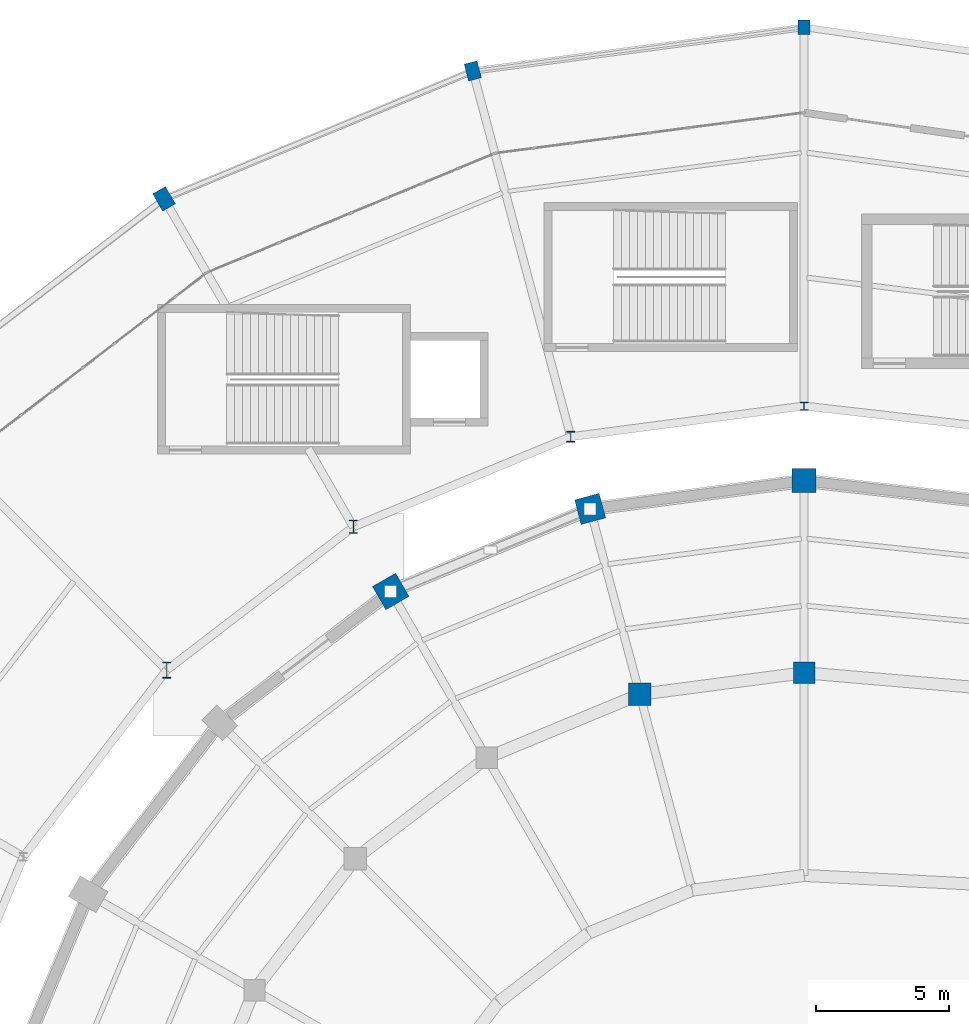
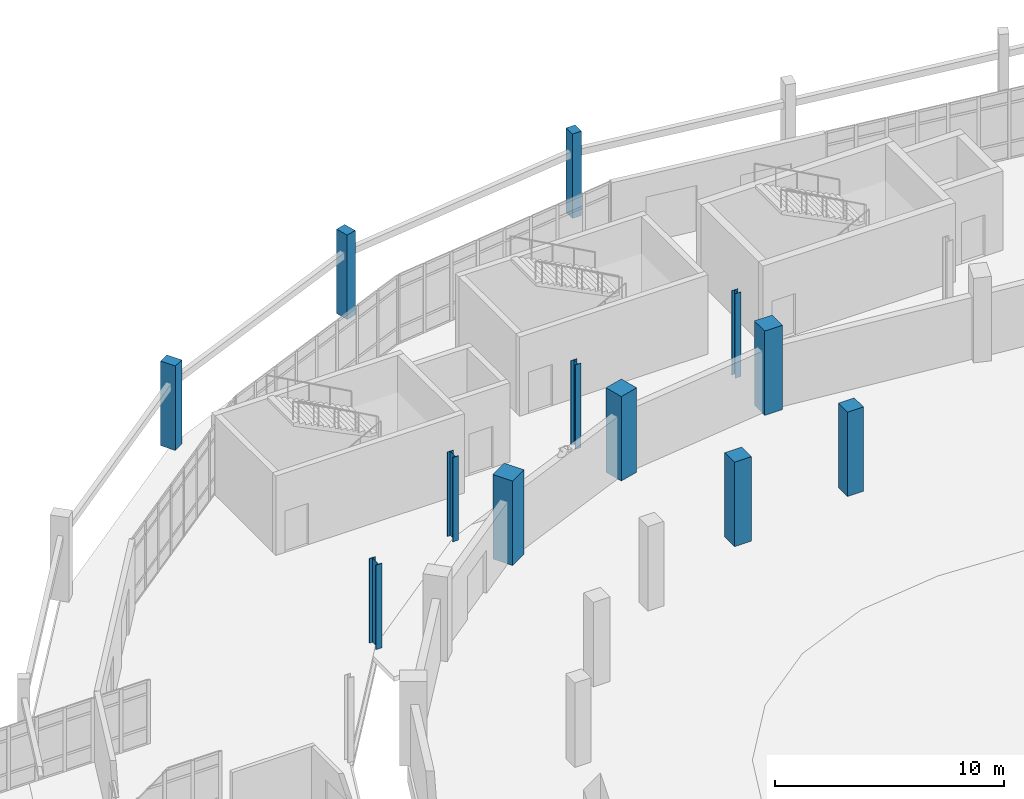
# One storey, part 16 of 122: 12 columns.
"""IFC4 building model written with IfcOpenShell, lengths in metres."""

from ifc_helpers import new_model, si_unit, direction, frame, origin, origin_2d, place, context, subcontext, project, spatial, rectangle, i_section, extrude, material, material_profile, profile_set, type_object, element, save


model = new_model("IFC4")

# Units and contexts
model_context = context("Model", 3, precision=1e-05, world=origin(), true_north=direction((0.0, 1.0)))
body_context = subcontext(model_context, "Body", "Model", "MODEL_VIEW")
ifc_project = project(units=[si_unit("LENGTHUNIT", "METRE"), si_unit("AREAUNIT", "SQUARE_METRE"), si_unit("VOLUMEUNIT", "CUBIC_METRE"), si_unit("PLANEANGLEUNIT", "RADIAN"), si_unit("MASSUNIT", "GRAM", prefix="KILO")], contexts=[model_context])

# Site, building, storey
site_placement = place(None, origin())
site = spatial("IfcSite", under=ifc_project, at=site_placement, CompositionType="ELEMENT")
building_placement = place(site_placement, origin())
building = spatial("IfcBuilding", under=site, at=building_placement, Name="Sohan Crest Arena", CompositionType="ELEMENT")
storey_placement = place(building_placement, origin())
storey = spatial("IfcBuildingStorey", under=building, at=storey_placement, Name="L00", CompositionType="ELEMENT", Elevation=0.0)

# Columns
ifc_material_1 = material(Name="Concrete C40/50", Category="concrete")
ifc_material_profile_1 = material_profile(ifc_material_1, rectangle(XDim=0.800048828125, YDim=0.800048828125, at=origin_2d()), Name="RC 800x800")
ifc_profile_set_1 = profile_set([ifc_material_profile_1], Name="Concrete C40/50")
column_type_1 = type_object("IfcColumnType", Name="STR-COL-C05", PredefinedType="COLUMN", material=ifc_profile_set_1)
column_1_placement = place(storey_placement, frame((98.0, 101.800048828125, 0.0), z_axis=(0.0, 0.0, 1.0), x_axis=(1.0, 0.0, 0.0)))
element("IfcColumn", 1, at=column_1_placement, inside=storey, type_object=column_type_1, Name="Structural column COL-V1M-01-L00", PredefinedType="COLUMN", context=body_context, shape_type="SweptSolid", body=[
    extrude(rectangle(XDim=0.800048828125, YDim=0.800048828125, at=origin_2d()), origin(), (0.0, 0.0, 1.0), 4.5),
])
ifc_material_profile_2 = material_profile(ifc_material_1, rectangle(XDim=0.85009765625, YDim=0.85009765625, at=origin_2d()), Name="RC 850x850")
ifc_profile_set_2 = profile_set([ifc_material_profile_2], Name="Concrete C40/50")
column_type_2 = type_object("IfcColumnType", Name="STR-COL-C06", PredefinedType="COLUMN", material=ifc_profile_set_2)
column_2_placement = place(storey_placement, frame((91.840087890625, 100.989013671875, 0.0), z_axis=(0.0, 0.0, 1.0), x_axis=(1.0, 0.0, 0.0)))
element("IfcColumn", 2, at=column_2_placement, inside=storey, type_object=column_type_2, Name="Structural column COL-V1M-02-L00", PredefinedType="COLUMN", context=body_context, shape_type="SweptSolid", body=[
    extrude(rectangle(XDim=0.85009765625, YDim=0.85009765625, at=origin_2d()), origin(), (0.0, 0.0, 1.0), 4.5),
])
ifc_material_profile_3 = material_profile(ifc_material_1, rectangle(XDim=0.89990234375, YDim=0.89990234375, at=origin_2d()), Name="RC 900x900")
ifc_profile_set_3 = profile_set([ifc_material_profile_3], Name="Concrete C40/50")
column_type_3 = type_object("IfcColumnType", Name="STR-COL-C07", PredefinedType="COLUMN", material=ifc_profile_set_3)
column_3_placement = place(storey_placement, frame((98.0, 109.0, 0.0), z_axis=(0.0, 0.0, 1.0), x_axis=(0.0, 1.0, 0.0)))
element("IfcColumn", 3, at=column_3_placement, inside=storey, type_object=column_type_3, Name="Structural column COL-V1R-01-L00", PredefinedType="COLUMN", context=body_context, shape_type="SweptSolid", body=[
    extrude(rectangle(XDim=0.89990234375, YDim=0.89990234375, at=origin_2d()), origin(), (0.0, 0.0, 1.0), 4.5),
])
ifc_material_profile_4 = material_profile(ifc_material_1, rectangle(XDim=0.949951171875, YDim=0.949951171875, at=origin_2d()), Name="RC 950x950")
ifc_profile_set_4 = profile_set([ifc_material_profile_4], Name="Concrete C40/50")
column_type_4 = type_object("IfcColumnType", Name="STR-COL-C08", PredefinedType="COLUMN", material=ifc_profile_set_4)
column_4_placement = place(storey_placement, frame((89.97705078125, 107.944091796875, 0.0), z_axis=(0.0, 0.0, 1.0), x_axis=(-0.258819045103, 0.965925826289, 0.0)))
element("IfcColumn", 4, at=column_4_placement, inside=storey, type_object=column_type_4, Name="Structural column COL-V1R-02-L00", PredefinedType="COLUMN", context=body_context, shape_type="SweptSolid", body=[
    extrude(rectangle(XDim=0.949951171875, YDim=0.949951171875, at=origin_2d()), origin(), (0.0, 0.0, 1.0), 4.5),
])
ifc_material_profile_5 = material_profile(ifc_material_1, rectangle(XDim=1.0, YDim=1.0, at=origin_2d()), Name="RC 1000x1000")
ifc_profile_set_5 = profile_set([ifc_material_profile_5], Name="Concrete C40/50")
column_type_5 = type_object("IfcColumnType", Name="STR-COL-C09", PredefinedType="COLUMN", material=ifc_profile_set_5)
column_5_placement = place(storey_placement, frame((82.5, 104.846923828125, 0.0), z_axis=(0.0, 0.0, 1.0), x_axis=(-0.5, 0.866025403784, 0.0)))
element("IfcColumn", 5, at=column_5_placement, inside=storey, type_object=column_type_5, Name="Structural column COL-V1R-03-L00", PredefinedType="COLUMN", context=body_context, shape_type="SweptSolid", body=[
    extrude(rectangle(XDim=1.0, YDim=1.0, at=origin_2d()), origin(), (0.0, 0.0, 1.0), 4.5),
])
ifc_material_2 = material(Name="Steel S355", Category="steel")
ifc_material_profile_6 = material_profile(ifc_material_2, i_section(OverallWidth=0.300048828125, OverallDepth=0.300048828125, WebThickness=0.010986328125, FlangeThickness=0.01904296875, at=origin_2d()), Name="HEB 300")
ifc_profile_set_6 = profile_set([ifc_material_profile_6], Name="Steel S355")
column_type_6 = type_object("IfcColumnType", Name="STR-COL-C17", PredefinedType="COLUMN", material=ifc_profile_set_6)
column_6_placement = place(storey_placement, frame((98.0, 111.800048828125, 0.0), z_axis=(0.0, 0.0, 1.0), x_axis=(1.0, 0.0, 0.0)))
element("IfcColumn", 6, at=column_6_placement, inside=storey, type_object=column_type_6, Name="Structural column COL-V2I-01-L00", PredefinedType="COLUMN", context=body_context, shape_type="SweptSolid", body=[
    extrude(i_section(OverallWidth=0.300048828125, OverallDepth=0.300048828125, WebThickness=0.010986328125, FlangeThickness=0.01904296875, at=origin_2d()), origin(), (0.0, 0.0, 1.0), 4.5),
])
ifc_material_profile_7 = material_profile(ifc_material_2, i_section(OverallWidth=0.300048828125, OverallDepth=0.39990234375, WebThickness=0.013427734375, FlangeThickness=0.02392578125, at=origin_2d()), Name="HEB 400")
ifc_profile_set_7 = profile_set([ifc_material_profile_7], Name="Steel S355")
column_type_7 = type_object("IfcColumnType", Name="STR-COL-C18", PredefinedType="COLUMN", material=ifc_profile_set_7)
column_7_placement = place(storey_placement, frame((89.251953125, 110.64794921875, 0.0), z_axis=(0.0, 0.0, 1.0), x_axis=(1.0, 0.0, 0.0)))
element("IfcColumn", 7, at=column_7_placement, inside=storey, type_object=column_type_7, Name="Structural column COL-V2I-02-L00", PredefinedType="COLUMN", context=body_context, shape_type="SweptSolid", body=[
    extrude(i_section(OverallWidth=0.300048828125, OverallDepth=0.39990234375, WebThickness=0.013427734375, FlangeThickness=0.02392578125, at=origin_2d()), origin(), (0.0, 0.0, 1.0), 4.5),
])
ifc_material_profile_8 = material_profile(ifc_material_2, i_section(OverallWidth=0.300048828125, OverallDepth=0.5, WebThickness=0.014404296875, FlangeThickness=0.028076171875, at=origin_2d()), Name="HEB 500")
ifc_profile_set_8 = profile_set([ifc_material_profile_8], Name="Steel S355")
column_type_8 = type_object("IfcColumnType", Name="STR-COL-C19", PredefinedType="COLUMN", material=ifc_profile_set_8)
column_8_placement = place(storey_placement, frame((81.10009765625, 107.27197265625, 0.0), z_axis=(0.0, 0.0, 1.0), x_axis=(1.0, 0.0, 0.0)))
element("IfcColumn", 8, at=column_8_placement, inside=storey, type_object=column_type_8, Name="Structural column COL-V2I-03-L00", PredefinedType="COLUMN", context=body_context, shape_type="SweptSolid", body=[
    extrude(i_section(OverallWidth=0.300048828125, OverallDepth=0.5, WebThickness=0.014404296875, FlangeThickness=0.028076171875, at=origin_2d()), origin(), (0.0, 0.0, 1.0), 4.5),
])
ifc_material_profile_9 = material_profile(ifc_material_2, i_section(OverallWidth=0.300048828125, OverallDepth=0.60009765625, WebThickness=0.015380859375, FlangeThickness=0.030029296875, at=origin_2d()), Name="HEB 600")
ifc_profile_set_9 = profile_set([ifc_material_profile_9], Name="Steel S355")
column_type_9 = type_object("IfcColumnType", Name="STR-COL-C20", PredefinedType="COLUMN", material=ifc_profile_set_9)
column_9_placement = place(storey_placement, frame((74.10009765625, 101.89990234375, 0.0), z_axis=(0.0, 0.0, 1.0), x_axis=(1.0, 0.0, 0.0)))
element("IfcColumn", 9, at=column_9_placement, inside=storey, type_object=column_type_9, Name="Structural column COL-V2I-04-L00", PredefinedType="COLUMN", context=body_context, shape_type="SweptSolid", body=[
    extrude(i_section(OverallWidth=0.300048828125, OverallDepth=0.60009765625, WebThickness=0.015380859375, FlangeThickness=0.030029296875, at=origin_2d()), origin(), (0.0, 0.0, 1.0), 4.5),
])
ifc_material_profile_10 = material_profile(ifc_material_1, rectangle(XDim=0.550048828125, YDim=0.449951171875, at=origin_2d()), Name="RC 550x450")
ifc_profile_set_10 = profile_set([ifc_material_profile_10], Name="Concrete C40/50")
column_type_10 = type_object("IfcColumnType", Name="STR-COL-PC01", PredefinedType="PILASTER", material=ifc_profile_set_10)
column_10_placement = place(storey_placement, frame((98.0, 126.0, 0.0), z_axis=(0.0, 0.0, 1.0), x_axis=(0.0, 1.0, 0.0)))
element("IfcColumn", 10, at=column_10_placement, inside=storey, type_object=column_type_10, Name="Structural column COL-V2O-01-L00", PredefinedType="PILASTER", context=body_context, shape_type="SweptSolid", body=[
    extrude(rectangle(XDim=0.550048828125, YDim=0.449951171875, at=origin_2d()), origin(), (0.0, 0.0, 1.0), 4.5),
])
ifc_material_profile_11 = material_profile(ifc_material_1, rectangle(XDim=0.64990234375, YDim=0.5, at=origin_2d()), Name="RC 650x500")
ifc_profile_set_11 = profile_set([ifc_material_profile_11], Name="Concrete C40/50")
column_type_11 = type_object("IfcColumnType", Name="STR-COL-PC02", PredefinedType="PILASTER", material=ifc_profile_set_11)
column_11_placement = place(storey_placement, frame((85.576904296875, 124.364013671875, 0.0), z_axis=(0.0, 0.0, 1.0), x_axis=(-0.258819045103, 0.965925826289, 0.0)))
element("IfcColumn", 11, at=column_11_placement, inside=storey, type_object=column_type_11, Name="Structural column COL-V2O-02-L00", PredefinedType="PILASTER", context=body_context, shape_type="SweptSolid", body=[
    extrude(rectangle(XDim=0.64990234375, YDim=0.5, at=origin_2d()), origin(), (0.0, 0.0, 1.0), 4.5),
])
ifc_material_profile_12 = material_profile(ifc_material_1, rectangle(XDim=0.75, YDim=0.550048828125, at=origin_2d()), Name="RC 750x550")
ifc_profile_set_12 = profile_set([ifc_material_profile_12], Name="Concrete C40/50")
column_type_12 = type_object("IfcColumnType", Name="STR-COL-PC03", PredefinedType="PILASTER", material=ifc_profile_set_12)
column_12_placement = place(storey_placement, frame((74.0, 119.569091796875, 0.0), z_axis=(0.0, 0.0, 1.0), x_axis=(-0.5, 0.866025403784, 0.0)))
element("IfcColumn", 12, at=column_12_placement, inside=storey, type_object=column_type_12, Name="Structural column COL-V2O-03-L00", PredefinedType="PILASTER", context=body_context, shape_type="SweptSolid", body=[
    extrude(rectangle(XDim=0.75, YDim=0.550048828125, at=origin_2d()), origin(), (0.0, 0.0, 1.0), 4.5),
])

save(model, "model.ifc")
